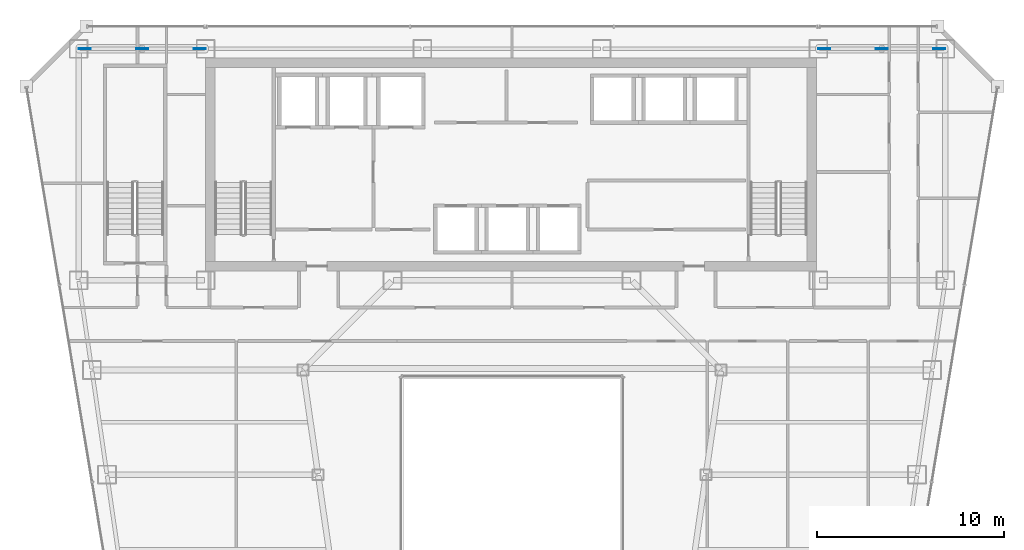
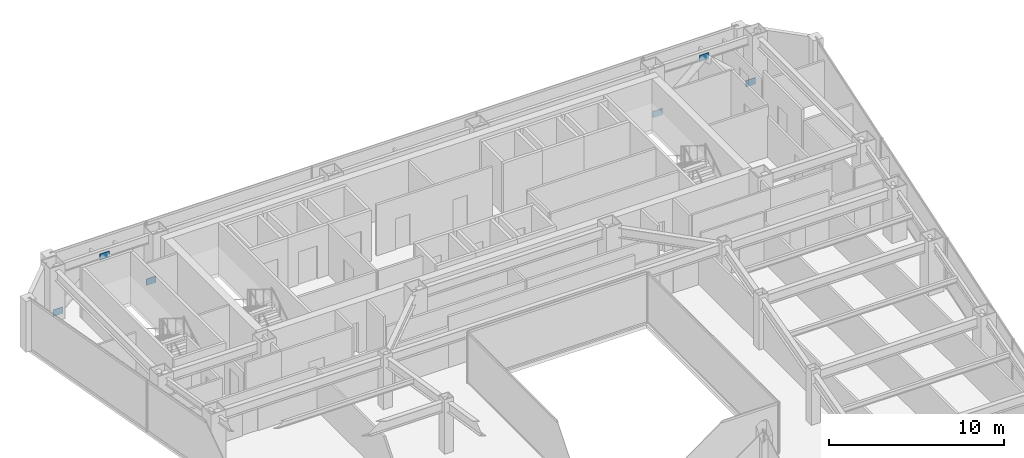
# One storey, part 30 of 36: 6 plates.
"""IFC4 building model written with IfcOpenShell, lengths in metres."""

from ifc_helpers import new_model, si_unit, direction, frame, origin, origin_2d, place, context, subcontext, project, spatial, rectangle, extrude, material, layer, layer_set, type_object, element, save


model = new_model("IFC4")

# Units and contexts
model_context = context("Model", 3, precision=1e-05, world=origin(), true_north=direction((0.0, 1.0)))
body_context = subcontext(model_context, "Body", "Model", "MODEL_VIEW")
ifc_project = project(units=[si_unit("LENGTHUNIT", "METRE"), si_unit("AREAUNIT", "SQUARE_METRE"), si_unit("VOLUMEUNIT", "CUBIC_METRE"), si_unit("PLANEANGLEUNIT", "RADIAN"), si_unit("MASSUNIT", "GRAM", prefix="KILO")], contexts=[model_context])

# Site, building, storey
site_placement = place(None, origin())
site = spatial("IfcSite", under=ifc_project, at=site_placement, CompositionType="ELEMENT")
building_placement = place(site_placement, origin())
building = spatial("IfcBuilding", under=site, at=building_placement, Name="Saevonmaru Cultural Tower", CompositionType="ELEMENT")
storey_placement = place(building_placement, frame((0.0, 0.0, 148.60009765625)))
storey = spatial("IfcBuildingStorey", under=building, at=storey_placement, Name="L32", CompositionType="ELEMENT", Elevation=148.60009765625)

# Plates
ifc_material = material(Name="Steel HSA600 (600 MPa)", Category="steel")
ifc_layer = layer(ifc_material, 0.0400390625, Name="Steel HSA600 (600 MPa)")
ifc_layer_set = layer_set([ifc_layer], Name="Steel HSA600 (600 MPa)")
plate_type = type_object("IfcPlateType", Name="PL-GUSSET-EXT", PredefinedType="USERDEFINED", material=ifc_layer_set)
for number, where, z_axis, x_axis, name in (
    (1, (10.199951171875, 54.800048828125, 2.849853515625), (0.0, 0.0, 1.0), (1.0, 0.0, 0.0), "L32 Perimeter Tube Gusset Plate"),
    (2, (7.1201171875, 54.800048828125, 0.02001953125), (0.0, 0.0, 1.0), (1.0, 0.0, 0.0), "L32 Perimeter Tube Gusset Plate"),
    (3, (13.280029296875, 54.800048828125, 0.02001953125), (0.0, 0.0, 1.0), (1.0, 0.0, 0.0), "L32 Perimeter Tube Gusset Plate"),
    (4, (49.800048828125, 54.800048828125, 2.849853515625), (0.0, 0.0, 1.0), (1.0, 0.0, 0.0), "L32 Perimeter Tube Gusset Plate"),
    (5, (46.719970703125, 54.800048828125, 0.02001953125), (0.0, 0.0, 1.0), (1.0, 0.0, 0.0), "L32 Perimeter Tube Gusset Plate"),
    (6, (52.8798828125, 54.800048828125, 0.02001953125), (0.0, 0.0, 1.0), (1.0, 0.0, 0.0), "L32 Perimeter Tube Gusset Plate"),
):
    element("IfcPlate", number, at=place(storey_placement, frame(where, z_axis=z_axis, x_axis=x_axis)), inside=storey, type_object=plate_type, Name=name, ObjectType="GUSSET_PLATE", PredefinedType="USERDEFINED", context=body_context, shape_type="SweptSolid", body=[
        extrude(rectangle(XDim=0.639892578125, YDim=0.0400390625, at=origin_2d()), origin(), (0.0, 0.0, 1.0), 0.43994140625),
    ])

save(model, "model.ifc")
